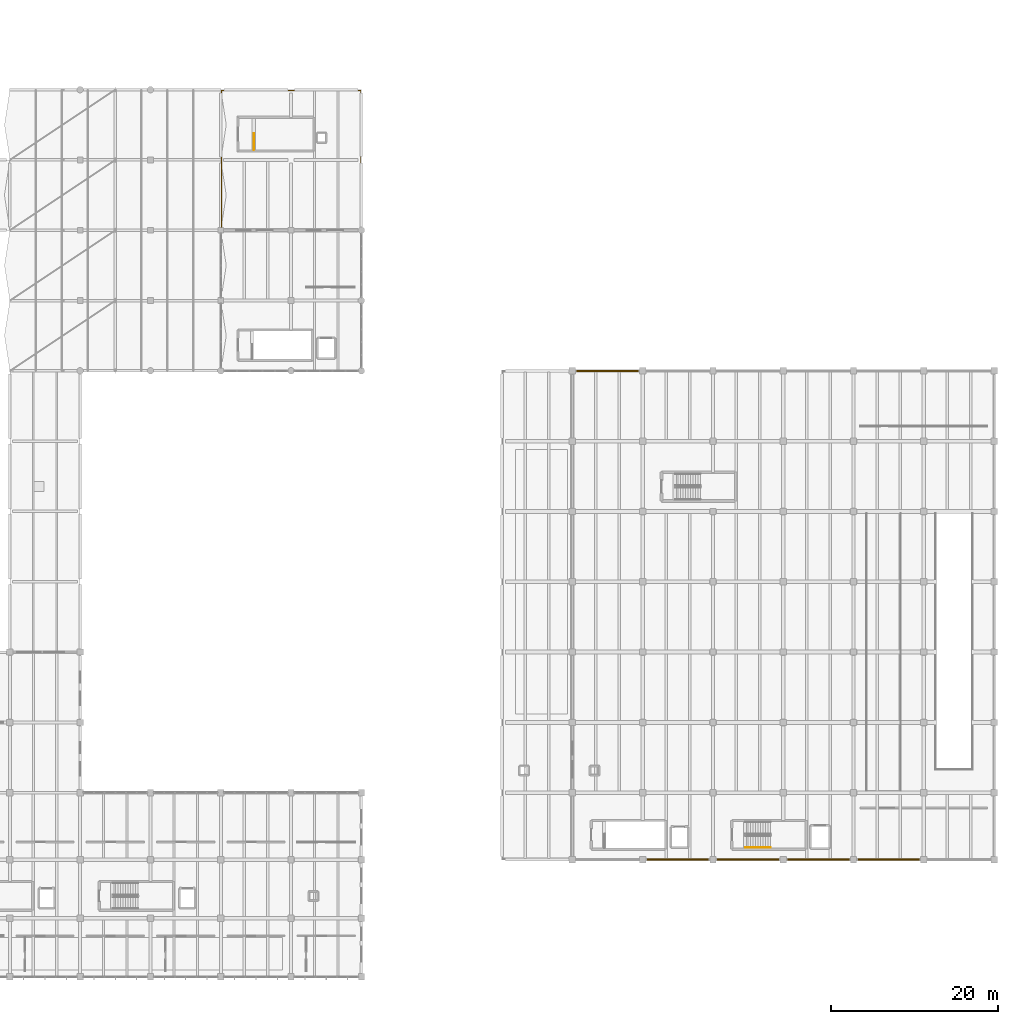
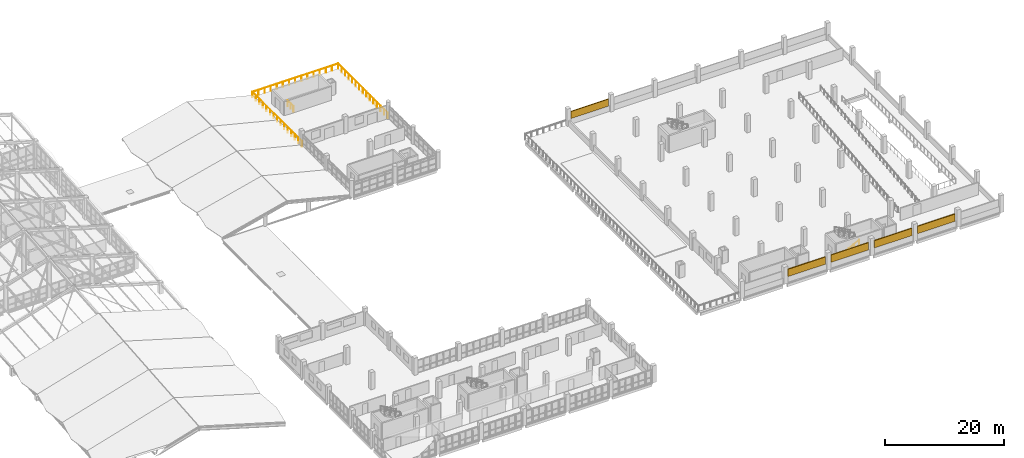
# One storey, part 91 of 95: 5 shading devices, 3 railings.
"""IFC4 building model written with IfcOpenShell, lengths in metres."""

from ifc_helpers import new_model, si_unit, direction, frame, origin, origin_2d, place, context, subcontext, project, spatial, rectangle, circle, extrude, material, type_object, element, save


model = new_model("IFC4")

# Units and contexts
model_context = context("Model", 3, precision=1e-05, world=origin(), true_north=direction((0.0, 1.0)))
body_context = subcontext(model_context, "Body", "Model", "MODEL_VIEW")
ifc_project = project(units=[si_unit("LENGTHUNIT", "METRE"), si_unit("AREAUNIT", "SQUARE_METRE"), si_unit("VOLUMEUNIT", "CUBIC_METRE"), si_unit("PLANEANGLEUNIT", "RADIAN"), si_unit("MASSUNIT", "GRAM", prefix="KILO"), si_unit("THERMODYNAMICTEMPERATUREUNIT", "KELVIN"), si_unit("POWERUNIT", "WATT")], contexts=[model_context])

# Site, building, storey
site_placement = place(None, origin())
site = spatial("IfcSite", under=ifc_project, at=site_placement, CompositionType="ELEMENT")
building_placement = place(site_placement, origin())
building = spatial("IfcBuilding", under=site, at=building_placement, Name="Mavoryth Pier Ferry Terminal", CompositionType="ELEMENT")
storey_placement = place(building_placement, frame((0.0, 0.0, 9.60009765625)))
storey = spatial("IfcBuildingStorey", under=building, at=storey_placement, Name="L02", CompositionType="ELEMENT", Elevation=9.60009765625)

# Railings
ifc_material_1 = material(Name="Bronze-Anodised Aluminium and Glass Balustrade", Category="aluminium")
railing_type_1 = type_object("IfcRailingType", Name="Guard-Atrium-Bronze1150", PredefinedType="GUARDRAIL", material=ifc_material_1)
railing_1_placement = place(storey_placement, frame((79.550048828125, 98.800048828125, 0.0)))
element("IfcRailing", 1, at=railing_1_placement, inside=storey, type_object=railing_type_1, Name="L02 ST15 top well guard 1", PredefinedType="GUARDRAIL", context=body_context, shape_type="SweptSolid", body=[
    extrude(circle(Radius=0.02392578125, at=origin_2d()), frame((0.0, 0.0, 1.1259765625), z_axis=(0.0, 1.0, 0.0), x_axis=(-1.0, 0.0, 0.0)), (0.0, 0.0, 1.0), 1.949951171875),
    extrude(circle(Radius=0.02099609375, at=origin_2d()), origin(), (0.0, 0.0, 1.0), 1.101806640625),
    extrude(circle(Radius=0.02099609375, at=origin_2d()), frame((0.0, 0.97509765625, 0.0)), (0.0, 0.0, 1.0), 1.101806640625),
    extrude(circle(Radius=0.02099609375, at=origin_2d()), frame((0.0, 1.949951171875, 0.0)), (0.0, 0.0, 1.0), 1.101806640625),
])
ifc_material_2 = material(Name="Stainless Steel and Laminated Glass Guardrail", Category="steel")
railing_type_2 = type_object("IfcRailingType", Name="Guard-Terrace-Glass1120", PredefinedType="GUARDRAIL", material=ifc_material_2)
railing_2_placement = place(storey_placement, frame((75.679931640625, 89.25, 0.0)))
element("IfcRailing", 2, at=railing_2_placement, inside=storey, type_object=railing_type_2, Name="Guardrail GRD-L02-005", PredefinedType="GUARDRAIL", context=body_context, shape_type="SweptSolid", body=[
    extrude(circle(Radius=0.02392578125, at=origin_2d()), frame((0.0, 0.0, 1.09619140625), z_axis=(0.0, 1.0, 0.0), x_axis=(-1.0, 0.0, 0.0)), (0.0, 0.0, 1.0), 16.669921875),
    extrude(circle(Radius=0.02392578125, at=origin_2d()), frame((0.0, 16.669921875, 1.09619140625), z_axis=(1.0, 0.0, 0.0), x_axis=(0.0, 1.0, 0.0)), (0.0, 0.0, 1.0), 16.64013671875),
    extrude(circle(Radius=0.02392578125, at=origin_2d()), frame((16.64013671875, 16.669921875, 1.09619140625), z_axis=(0.0, -1.0, 0.0), x_axis=(1.0, 0.0, 0.0)), (0.0, 0.0, 1.0), 16.669921875),
    extrude(circle(Radius=0.02099609375, at=origin_2d()), origin(), (0.0, 0.0, 1.0), 1.072021484375),
    extrude(circle(Radius=0.02099609375, at=origin_2d()), frame((0.0, 1.190673828125, 0.0)), (0.0, 0.0, 1.0), 1.072021484375),
    extrude(circle(Radius=0.02099609375, at=origin_2d()), frame((0.0, 2.38134765625, 0.0)), (0.0, 0.0, 1.0), 1.072021484375),
    extrude(circle(Radius=0.02099609375, at=origin_2d()), frame((0.0, 3.572021484375, 0.0)), (0.0, 0.0, 1.0), 1.072021484375),
    extrude(circle(Radius=0.02099609375, at=origin_2d()), frame((0.0, 4.762939453125, 0.0)), (0.0, 0.0, 1.0), 1.072021484375),
    extrude(circle(Radius=0.02099609375, at=origin_2d()), frame((0.0, 5.95361328125, 0.0)), (0.0, 0.0, 1.0), 1.072021484375),
    extrude(circle(Radius=0.02099609375, at=origin_2d()), frame((0.0, 7.144287109375, 0.0)), (0.0, 0.0, 1.0), 1.072021484375),
    extrude(circle(Radius=0.02099609375, at=origin_2d()), frame((0.0, 8.3349609375, 0.0)), (0.0, 0.0, 1.0), 1.072021484375),
    extrude(circle(Radius=0.02099609375, at=origin_2d()), frame((0.0, 9.525634765625, 0.0)), (0.0, 0.0, 1.0), 1.072021484375),
    extrude(circle(Radius=0.02099609375, at=origin_2d()), frame((0.0, 10.71630859375, 0.0)), (0.0, 0.0, 1.0), 1.072021484375),
    extrude(circle(Radius=0.02099609375, at=origin_2d()), frame((0.0, 11.906982421875, 0.0)), (0.0, 0.0, 1.0), 1.072021484375),
    extrude(circle(Radius=0.02099609375, at=origin_2d()), frame((0.0, 13.097900390625, 0.0)), (0.0, 0.0, 1.0), 1.072021484375),
    extrude(circle(Radius=0.02099609375, at=origin_2d()), frame((0.0, 14.28857421875, 0.0)), (0.0, 0.0, 1.0), 1.072021484375),
    extrude(circle(Radius=0.02099609375, at=origin_2d()), frame((0.0, 15.479248046875, 0.0)), (0.0, 0.0, 1.0), 1.072021484375),
    extrude(circle(Radius=0.02099609375, at=origin_2d()), frame((0.0, 16.669921875, 0.0)), (0.0, 0.0, 1.0), 1.072021484375),
    extrude(circle(Radius=0.02099609375, at=origin_2d()), frame((1.1884765625, 16.669921875, 0.0)), (0.0, 0.0, 1.0), 1.072021484375),
    extrude(circle(Radius=0.02099609375, at=origin_2d()), frame((2.377197265625, 16.669921875, 0.0)), (0.0, 0.0, 1.0), 1.072021484375),
    extrude(circle(Radius=0.02099609375, at=origin_2d()), frame((3.565673828125, 16.669921875, 0.0)), (0.0, 0.0, 1.0), 1.072021484375),
    extrude(circle(Radius=0.02099609375, at=origin_2d()), frame((4.75439453125, 16.669921875, 0.0)), (0.0, 0.0, 1.0), 1.072021484375),
    extrude(circle(Radius=0.02099609375, at=origin_2d()), frame((5.94287109375, 16.669921875, 0.0)), (0.0, 0.0, 1.0), 1.072021484375),
    extrude(circle(Radius=0.02099609375, at=origin_2d()), frame((7.131591796875, 16.669921875, 0.0)), (0.0, 0.0, 1.0), 1.072021484375),
    extrude(circle(Radius=0.02099609375, at=origin_2d()), frame((8.320068359375, 16.669921875, 0.0)), (0.0, 0.0, 1.0), 1.072021484375),
    extrude(circle(Radius=0.02099609375, at=origin_2d()), frame((9.508544921875, 16.669921875, 0.0)), (0.0, 0.0, 1.0), 1.072021484375),
    extrude(circle(Radius=0.02099609375, at=origin_2d()), frame((10.697265625, 16.669921875, 0.0)), (0.0, 0.0, 1.0), 1.072021484375),
    extrude(circle(Radius=0.02099609375, at=origin_2d()), frame((11.8857421875, 16.669921875, 0.0)), (0.0, 0.0, 1.0), 1.072021484375),
    extrude(circle(Radius=0.02099609375, at=origin_2d()), frame((13.074462890625, 16.669921875, 0.0)), (0.0, 0.0, 1.0), 1.072021484375),
    extrude(circle(Radius=0.02099609375, at=origin_2d()), frame((14.262939453125, 16.669921875, 0.0)), (0.0, 0.0, 1.0), 1.072021484375),
    extrude(circle(Radius=0.02099609375, at=origin_2d()), frame((15.45166015625, 16.669921875, 0.0)), (0.0, 0.0, 1.0), 1.072021484375),
    extrude(circle(Radius=0.02099609375, at=origin_2d()), frame((16.64013671875, 16.669921875, 0.0)), (0.0, 0.0, 1.0), 1.072021484375),
    extrude(circle(Radius=0.02099609375, at=origin_2d()), frame((16.64013671875, 15.479248046875, 0.0)), (0.0, 0.0, 1.0), 1.072021484375),
    extrude(circle(Radius=0.02099609375, at=origin_2d()), frame((16.64013671875, 14.28857421875, 0.0)), (0.0, 0.0, 1.0), 1.072021484375),
    extrude(circle(Radius=0.02099609375, at=origin_2d()), frame((16.64013671875, 13.097900390625, 0.0)), (0.0, 0.0, 1.0), 1.072021484375),
    extrude(circle(Radius=0.02099609375, at=origin_2d()), frame((16.64013671875, 11.906982421875, 0.0)), (0.0, 0.0, 1.0), 1.072021484375),
    extrude(circle(Radius=0.02099609375, at=origin_2d()), frame((16.64013671875, 10.71630859375, 0.0)), (0.0, 0.0, 1.0), 1.072021484375),
    extrude(circle(Radius=0.02099609375, at=origin_2d()), frame((16.64013671875, 9.525634765625, 0.0)), (0.0, 0.0, 1.0), 1.072021484375),
    extrude(circle(Radius=0.02099609375, at=origin_2d()), frame((16.64013671875, 8.3349609375, 0.0)), (0.0, 0.0, 1.0), 1.072021484375),
    extrude(circle(Radius=0.02099609375, at=origin_2d()), frame((16.64013671875, 7.144287109375, 0.0)), (0.0, 0.0, 1.0), 1.072021484375),
    extrude(circle(Radius=0.02099609375, at=origin_2d()), frame((16.64013671875, 5.95361328125, 0.0)), (0.0, 0.0, 1.0), 1.072021484375),
    extrude(circle(Radius=0.02099609375, at=origin_2d()), frame((16.64013671875, 4.762939453125, 0.0)), (0.0, 0.0, 1.0), 1.072021484375),
    extrude(circle(Radius=0.02099609375, at=origin_2d()), frame((16.64013671875, 3.572021484375, 0.0)), (0.0, 0.0, 1.0), 1.072021484375),
    extrude(circle(Radius=0.02099609375, at=origin_2d()), frame((16.64013671875, 2.38134765625, 0.0)), (0.0, 0.0, 1.0), 1.072021484375),
    extrude(circle(Radius=0.02099609375, at=origin_2d()), frame((16.64013671875, 1.190673828125, 0.0)), (0.0, 0.0, 1.0), 1.072021484375),
    extrude(circle(Radius=0.02099609375, at=origin_2d()), frame((16.64013671875, 0.0, 0.0)), (0.0, 0.0, 1.0), 1.072021484375),
])
ifc_material_3 = material(Name="Brushed Stainless Steel Tubular Handrail", Category="steel")
railing_type_3 = type_object("IfcRailingType", Name="Handrail-Stair-SS900", PredefinedType="HANDRAIL", material=ifc_material_3)
railing_3_placement = place(storey_placement, frame((138.300048828125, 15.449951171875, 0.159912109375)))
element("IfcRailing", 3, at=railing_3_placement, inside=storey, type_object=railing_type_3, Name="L02 ST09 stair handrail 1", PredefinedType="HANDRAIL", context=body_context, shape_type="SweptSolid", body=[
    extrude(circle(Radius=0.02392578125, at=origin_2d()), frame((0.0, 0.0, 0.8759765625), z_axis=(0.882341014787, 0.0, 0.470610596591), x_axis=(0.0, 1.0, 0.0)), (0.0, 0.0, 1.0), 3.400146484375),
    extrude(circle(Radius=0.02099609375, at=origin_2d()), origin(), (0.0, 0.0, 1.0), 0.851806640625),
    extrude(circle(Radius=0.02099609375, at=origin_2d()), frame((1.0, 0.0, 0.533447265625)), (0.0, 0.0, 1.0), 0.851806640625),
    extrude(circle(Radius=0.02099609375, at=origin_2d()), frame((2.0, 0.0, 1.066650390625)), (0.0, 0.0, 1.0), 0.851806640625),
    extrude(circle(Radius=0.02099609375, at=origin_2d()), frame((3.0, 0.0, 1.60009765625)), (0.0, 0.0, 1.0), 0.851806640625),
])

# Shading devices
ifc_material_4 = material(Name="Perforated Glazed Ceramic Solar Screen")
shading_device_type = type_object("IfcShadingDeviceType", Name="Screen-Ceramic-Bay6400x1700", PredefinedType="JALOUSIE", material=ifc_material_4)
shading_device_placement = place(storey_placement, frame((121.800048828125, 72.39990234375, 1.14990234375), z_axis=(0.0, 0.0, 1.0), x_axis=(1.0, 0.0, 0.0)))
element("IfcShadingDevice", 4, at=shading_device_placement, inside=storey, type_object=shading_device_type, Name="Perforated Glazed Ceramic Solar Screen 16", PredefinedType="JALOUSIE", context=body_context, shape_type="SweptSolid", body=[
    extrude(rectangle(XDim=7.320068359375, YDim=0.179931640625, at=origin_2d()), origin(), (0.0, 0.0, 1.0), 1.43505859375),
])
for number, where, z_axis, x_axis, name in (
    (5, (130.199951171875, 14.0, 1.14990234375), (0.0, 0.0, 1.0), (1.0, 0.0, 0.0), "Perforated Glazed Ceramic Solar Screen 17"),
    (6, (138.60009765625, 14.0, 1.14990234375), (0.0, 0.0, 1.0), (1.0, 0.0, 0.0), "Perforated Glazed Ceramic Solar Screen 19"),
    (7, (147.0, 14.0, 1.14990234375), (0.0, 0.0, 1.0), (1.0, 0.0, 0.0), "Perforated Glazed Ceramic Solar Screen 21"),
    (8, (155.39990234375, 14.0, 1.14990234375), (0.0, 0.0, 1.0), (1.0, 0.0, 0.0), "Perforated Glazed Ceramic Solar Screen 23"),
):
    element("IfcShadingDevice", number, at=place(storey_placement, frame(where, z_axis=z_axis, x_axis=x_axis)), inside=storey, type_object=shading_device_type, Name=name, PredefinedType="JALOUSIE", context=body_context, shape_type="SweptSolid", body=[
        extrude(rectangle(XDim=7.320068359375, YDim=0.179931640625, at=origin_2d()), origin(), (0.0, 0.0, 1.0), 1.4951171875),
    ])

save(model, "model.ifc")
